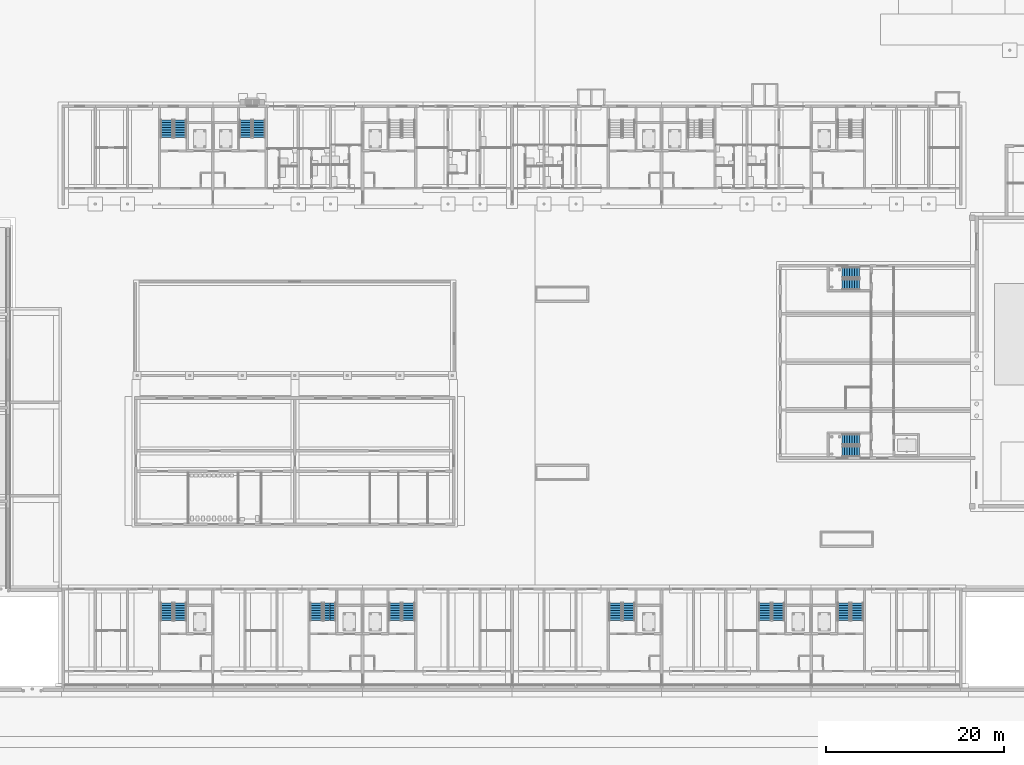
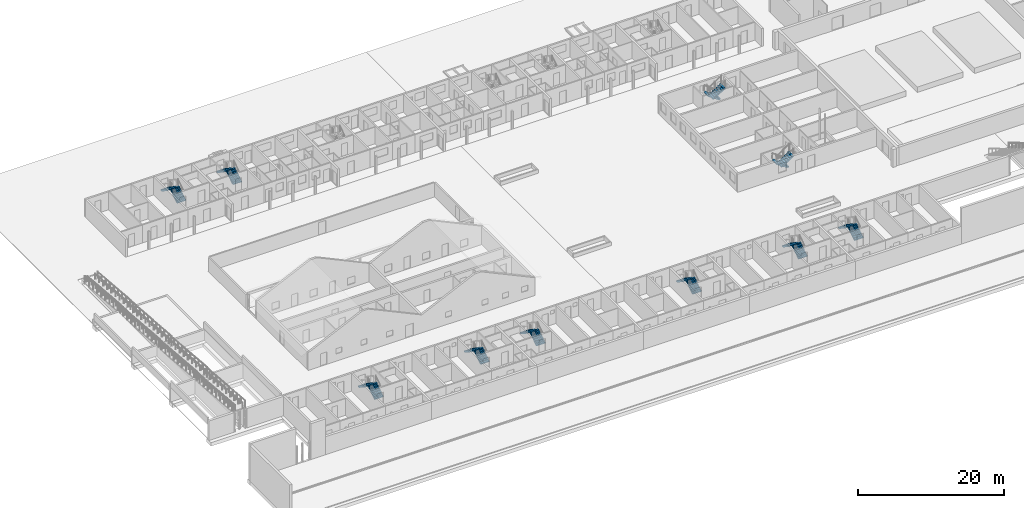
# One storey, part 71 of 112: 20 stair flights, 10 elements without a shape of their own.
"""IFC4 building model written with IfcOpenShell, lengths in metres."""

from ifc_helpers import new_model, si_unit, direction, frame, origin, place, context, subcontext, project, spatial, polyline, outline, extrude, material, type_object, element, aggregate, save


model = new_model("IFC4")

# Units and contexts
model_context = context("Model", 3, precision=1e-05, world=origin(), true_north=direction((0.0, 1.0)))
body_context = subcontext(model_context, "Body", "Model", "MODEL_VIEW")
ifc_project = project(units=[si_unit("LENGTHUNIT", "METRE"), si_unit("AREAUNIT", "SQUARE_METRE"), si_unit("VOLUMEUNIT", "CUBIC_METRE"), si_unit("PLANEANGLEUNIT", "RADIAN"), si_unit("MASSUNIT", "GRAM", prefix="KILO")], contexts=[model_context])

# Site, building, storey
site_placement = place(None, origin())
site = spatial("IfcSite", under=ifc_project, at=site_placement, CompositionType="ELEMENT")
building_placement = place(site_placement, origin())
building = spatial("IfcBuilding", under=site, at=building_placement, Name="Ridgestep Commons", CompositionType="ELEMENT")
storey_placement = place(building_placement, origin())
storey = spatial("IfcBuildingStorey", under=building, at=storey_placement, Name="L00", CompositionType="ELEMENT", Elevation=0.0)

# Stair, stair flights
ifc_material_1 = material(Name="Concrete C30/37", Category="concrete")
stair_type_1 = type_object("IfcStairType", Name="Community stair", PredefinedType="HALF_TURN_STAIR", material=ifc_material_1)
stair_1_placement = place(storey_placement, origin())
stair_1 = element("IfcStair", 1, at=stair_1_placement, inside=storey, type_object=stair_type_1, Name="L00 AW-ST0", PredefinedType="HALF_TURN_STAIR")
ifc_material_2 = material(Name="Concrete C30/37", Category="concrete")
stair_flight_type_1 = type_object("IfcStairFlightType", Name="Community stair flight", PredefinedType="STRAIGHT", material=ifc_material_2)
stair_flight_1_placement = place(storey_placement, frame((101.449951171875, 39.699951171875, 0.0), z_axis=(0.0, 0.0, 1.0), x_axis=(-1.0, 0.0, 0.0)))
stair_flight_1 = element("IfcStairFlight", 2, at=stair_flight_1_placement, type_object=stair_flight_type_1, Name="AW-ST0 flight 1", NumberOfRisers=8, NumberOfTreads=7, PredefinedType="STRAIGHT", RiserHeight=0.1875, TreadLength=0.28, context=body_context, shape_type="SweptSolid", body=[
    extrude(outline(polyline([(0.0, 0.0), (0.0, 0.1875), (0.280029296875, 0.1875), (0.280029296875, 0.375), (0.56005859375, 0.375), (0.56005859375, 0.5625), (0.840087890625, 0.5625), (0.840087890625, 0.75), (1.1201171875, 0.75), (1.1201171875, 0.9375), (1.39990234375, 0.9375), (1.39990234375, 1.125), (1.679931640625, 1.125), (1.679931640625, 1.3125), (1.9599609375, 1.3125), (1.9599609375, 1.5), (1.9599609375, 1.132080078125), (0.26953125, 0.0), (0.0, 0.0)])), frame((0.0, 0.60009765625, 0.0), z_axis=(0.0, -1.0, 0.0), x_axis=(1.0, 0.0, 0.0)), (0.0, 0.0, 1.0), 0.594970703125),
    extrude(outline(polyline([(0.0, 0.0), (0.0, 0.1875), (0.280029296875, 0.1875), (0.280029296875, 0.375), (0.56005859375, 0.375), (0.56005859375, 0.5625), (0.840087890625, 0.5625), (0.840087890625, 0.75), (1.1201171875, 0.75), (1.1201171875, 0.9375), (1.39990234375, 0.9375), (1.39990234375, 1.125), (1.679931640625, 1.125), (1.679931640625, 1.3125), (1.9599609375, 1.3125), (1.9599609375, 1.5), (1.9599609375, 1.132080078125), (0.26953125, 0.0), (0.0, 0.0)])), frame((0.0, -0.0048828125, 0.0), z_axis=(0.0, -1.0, 0.0), x_axis=(1.0, 0.0, 0.0)), (0.0, 0.0, 1.0), 0.594970703125),
])
stair_flight_2_placement = place(storey_placement, frame((99.489990234375, 38.35009765625, 1.5), z_axis=(0.0, 0.0, 1.0), x_axis=(1.0, 0.0, 0.0)))
stair_flight_2 = element("IfcStairFlight", 3, at=stair_flight_2_placement, type_object=stair_flight_type_1, Name="AW-ST0 flight 2", NumberOfRisers=8, NumberOfTreads=7, PredefinedType="STRAIGHT", RiserHeight=0.1875, TreadLength=0.28, context=body_context, shape_type="SweptSolid", body=[
    extrude(outline(polyline([(0.0, 0.0), (0.0, 0.1875), (0.280029296875, 0.1875), (0.280029296875, 0.375), (0.56005859375, 0.375), (0.56005859375, 0.5625), (0.840087890625, 0.5625), (0.840087890625, 0.75), (1.1201171875, 0.75), (1.1201171875, 0.9375), (1.39990234375, 0.9375), (1.39990234375, 1.125), (1.679931640625, 1.125), (1.679931640625, 1.3125), (1.9599609375, 1.3125), (1.9599609375, 1.5), (1.9599609375, 1.132080078125), (0.26953125, 0.0), (0.0, 0.0)])), frame((0.0, 0.60009765625, 0.0), z_axis=(0.0, -1.0, 0.0), x_axis=(1.0, 0.0, 0.0)), (0.0, 0.0, 1.0), 0.594970703125),
    extrude(outline(polyline([(0.0, 0.0), (0.0, 0.1875), (0.280029296875, 0.1875), (0.280029296875, 0.375), (0.56005859375, 0.375), (0.56005859375, 0.5625), (0.840087890625, 0.5625), (0.840087890625, 0.75), (1.1201171875, 0.75), (1.1201171875, 0.9375), (1.39990234375, 0.9375), (1.39990234375, 1.125), (1.679931640625, 1.125), (1.679931640625, 1.3125), (1.9599609375, 1.3125), (1.9599609375, 1.5), (1.9599609375, 1.132080078125), (0.26953125, 0.0), (0.0, 0.0)])), frame((0.0, -0.0048828125, 0.0), z_axis=(0.0, -1.0, 0.0), x_axis=(1.0, 0.0, 0.0)), (0.0, 0.0, 1.0), 0.594970703125),
])
aggregate(stair_1, [stair_flight_1, stair_flight_2])

stair_2_placement = place(storey_placement, origin())
stair_2 = element("IfcStair", 4, at=stair_2_placement, inside=storey, type_object=stair_type_1, Name="L00 AW-ST3", PredefinedType="HALF_TURN_STAIR")
stair_flight_3_placement = place(storey_placement, frame((101.449951171875, 58.449951171875, 0.0), z_axis=(0.0, 0.0, 1.0), x_axis=(-1.0, 0.0, 0.0)))
stair_flight_3 = element("IfcStairFlight", 5, at=stair_flight_3_placement, type_object=stair_flight_type_1, Name="AW-ST3 flight 1", NumberOfRisers=8, NumberOfTreads=7, PredefinedType="STRAIGHT", RiserHeight=0.1875, TreadLength=0.28, context=body_context, shape_type="SweptSolid", body=[
    extrude(outline(polyline([(0.0, 0.0), (0.0, 0.1875), (0.280029296875, 0.1875), (0.280029296875, 0.375), (0.56005859375, 0.375), (0.56005859375, 0.5625), (0.840087890625, 0.5625), (0.840087890625, 0.75), (1.1201171875, 0.75), (1.1201171875, 0.9375), (1.39990234375, 0.9375), (1.39990234375, 1.125), (1.679931640625, 1.125), (1.679931640625, 1.3125), (1.9599609375, 1.3125), (1.9599609375, 1.5), (1.9599609375, 1.132080078125), (0.26953125, 0.0), (0.0, 0.0)])), frame((0.0, 0.60009765625, 0.0), z_axis=(0.0, -1.0, 0.0), x_axis=(1.0, 0.0, 0.0)), (0.0, 0.0, 1.0), 0.594970703125),
    extrude(outline(polyline([(0.0, 0.0), (0.0, 0.1875), (0.280029296875, 0.1875), (0.280029296875, 0.375), (0.56005859375, 0.375), (0.56005859375, 0.5625), (0.840087890625, 0.5625), (0.840087890625, 0.75), (1.1201171875, 0.75), (1.1201171875, 0.9375), (1.39990234375, 0.9375), (1.39990234375, 1.125), (1.679931640625, 1.125), (1.679931640625, 1.3125), (1.9599609375, 1.3125), (1.9599609375, 1.5), (1.9599609375, 1.132080078125), (0.26953125, 0.0), (0.0, 0.0)])), frame((0.0, -0.0048828125, 0.0), z_axis=(0.0, -1.0, 0.0), x_axis=(1.0, 0.0, 0.0)), (0.0, 0.0, 1.0), 0.594970703125),
])
stair_flight_4_placement = place(storey_placement, frame((99.489990234375, 57.10009765625, 1.5), z_axis=(0.0, 0.0, 1.0), x_axis=(1.0, 0.0, 0.0)))
stair_flight_4 = element("IfcStairFlight", 6, at=stair_flight_4_placement, type_object=stair_flight_type_1, Name="AW-ST3 flight 2", NumberOfRisers=8, NumberOfTreads=7, PredefinedType="STRAIGHT", RiserHeight=0.1875, TreadLength=0.28, context=body_context, shape_type="SweptSolid", body=[
    extrude(outline(polyline([(0.0, 0.0), (0.0, 0.1875), (0.280029296875, 0.1875), (0.280029296875, 0.375), (0.56005859375, 0.375), (0.56005859375, 0.5625), (0.840087890625, 0.5625), (0.840087890625, 0.75), (1.1201171875, 0.75), (1.1201171875, 0.9375), (1.39990234375, 0.9375), (1.39990234375, 1.125), (1.679931640625, 1.125), (1.679931640625, 1.3125), (1.9599609375, 1.3125), (1.9599609375, 1.5), (1.9599609375, 1.132080078125), (0.26953125, 0.0), (0.0, 0.0)])), frame((0.0, 0.60009765625, 0.0), z_axis=(0.0, -1.0, 0.0), x_axis=(1.0, 0.0, 0.0)), (0.0, 0.0, 1.0), 0.594970703125),
    extrude(outline(polyline([(0.0, 0.0), (0.0, 0.1875), (0.280029296875, 0.1875), (0.280029296875, 0.375), (0.56005859375, 0.375), (0.56005859375, 0.5625), (0.840087890625, 0.5625), (0.840087890625, 0.75), (1.1201171875, 0.75), (1.1201171875, 0.9375), (1.39990234375, 0.9375), (1.39990234375, 1.125), (1.679931640625, 1.125), (1.679931640625, 1.3125), (1.9599609375, 1.3125), (1.9599609375, 1.5), (1.9599609375, 1.132080078125), (0.26953125, 0.0), (0.0, 0.0)])), frame((0.0, -0.0048828125, 0.0), z_axis=(0.0, -1.0, 0.0), x_axis=(1.0, 0.0, 0.0)), (0.0, 0.0, 1.0), 0.594970703125),
])
aggregate(stair_2, [stair_flight_3, stair_flight_4])

ifc_material_3 = material(Name="Precast concrete C40/50", Category="concrete")
stair_type_2 = type_object("IfcStairType", Name="Escape stair 1400", PredefinedType="HALF_TURN_STAIR", material=ifc_material_3)
stair_3_placement = place(storey_placement, origin())
stair_3 = element("IfcStair", 7, at=stair_3_placement, inside=storey, type_object=stair_type_2, Name="L00 Escape stair A1C", PredefinedType="HALF_TURN_STAIR")
ifc_material_4 = material(Name="Precast concrete C40/50", Category="concrete")
stair_flight_type_2 = type_object("IfcStairFlightType", Name="Stair flight 1400", PredefinedType="STRAIGHT", material=ifc_material_4)
stair_flight_5_placement = place(storey_placement, frame((25.125, 19.35009765625, 0.0), z_axis=(0.0, 0.0, 1.0), x_axis=(0.0, 1.0, 0.0)))
stair_flight_5 = element("IfcStairFlight", 8, at=stair_flight_5_placement, type_object=stair_flight_type_2, Name="A1C flight 1", NumberOfRisers=8, NumberOfTreads=7, PredefinedType="STRAIGHT", RiserHeight=0.1875, TreadLength=0.28, context=body_context, shape_type="SweptSolid", body=[
    extrude(outline(polyline([(0.0, 0.0), (0.0, 0.1875), (0.280029296875, 0.1875), (0.280029296875, 0.375), (0.56005859375, 0.375), (0.56005859375, 0.5625), (0.840087890625, 0.5625), (0.840087890625, 0.75), (1.1201171875, 0.75), (1.1201171875, 0.9375), (1.39990234375, 0.9375), (1.39990234375, 1.125), (1.679931640625, 1.125), (1.679931640625, 1.3125), (1.9599609375, 1.3125), (1.9599609375, 1.5), (1.9599609375, 1.132080078125), (0.26953125, 0.0), (0.0, 0.0)])), frame((0.0, 0.699951171875, 0.0), z_axis=(0.0, -1.0, 0.0), x_axis=(1.0, 0.0, 0.0)), (0.0, 0.0, 1.0), 0.695068359375),
    extrude(outline(polyline([(0.0, 0.0), (0.0, 0.1875), (0.280029296875, 0.1875), (0.280029296875, 0.375), (0.56005859375, 0.375), (0.56005859375, 0.5625), (0.840087890625, 0.5625), (0.840087890625, 0.75), (1.1201171875, 0.75), (1.1201171875, 0.9375), (1.39990234375, 0.9375), (1.39990234375, 1.125), (1.679931640625, 1.125), (1.679931640625, 1.3125), (1.9599609375, 1.3125), (1.9599609375, 1.5), (1.9599609375, 1.132080078125), (0.26953125, 0.0), (0.0, 0.0)])), frame((0.0, -0.0048828125, 0.0), z_axis=(0.0, -1.0, 0.0), x_axis=(1.0, 0.0, 0.0)), (0.0, 0.0, 1.0), 0.695068359375),
])
stair_flight_6_placement = place(storey_placement, frame((23.625, 21.31005859375, 1.5), z_axis=(0.0, 0.0, 1.0), x_axis=(0.0, -1.0, 0.0)))
stair_flight_6 = element("IfcStairFlight", 9, at=stair_flight_6_placement, type_object=stair_flight_type_2, Name="A1C flight 2", NumberOfRisers=8, NumberOfTreads=7, PredefinedType="STRAIGHT", RiserHeight=0.1875, TreadLength=0.28, context=body_context, shape_type="SweptSolid", body=[
    extrude(outline(polyline([(0.0, 0.0), (0.0, 0.1875), (0.280029296875, 0.1875), (0.280029296875, 0.375), (0.56005859375, 0.375), (0.56005859375, 0.5625), (0.840087890625, 0.5625), (0.840087890625, 0.75), (1.1201171875, 0.75), (1.1201171875, 0.9375), (1.39990234375, 0.9375), (1.39990234375, 1.125), (1.679931640625, 1.125), (1.679931640625, 1.3125), (1.9599609375, 1.3125), (1.9599609375, 1.5), (1.9599609375, 1.132080078125), (0.26953125, 0.0), (0.0, 0.0)])), frame((0.0, 0.699951171875, 0.0), z_axis=(0.0, -1.0, 0.0), x_axis=(1.0, 0.0, 0.0)), (0.0, 0.0, 1.0), 0.695068359375),
    extrude(outline(polyline([(0.0, 0.0), (0.0, 0.1875), (0.280029296875, 0.1875), (0.280029296875, 0.375), (0.56005859375, 0.375), (0.56005859375, 0.5625), (0.840087890625, 0.5625), (0.840087890625, 0.75), (1.1201171875, 0.75), (1.1201171875, 0.9375), (1.39990234375, 0.9375), (1.39990234375, 1.125), (1.679931640625, 1.125), (1.679931640625, 1.3125), (1.9599609375, 1.3125), (1.9599609375, 1.5), (1.9599609375, 1.132080078125), (0.26953125, 0.0), (0.0, 0.0)])), frame((0.0, -0.0048828125, 0.0), z_axis=(0.0, -1.0, 0.0), x_axis=(1.0, 0.0, 0.0)), (0.0, 0.0, 1.0), 0.695068359375),
])
aggregate(stair_3, [stair_flight_5, stair_flight_6])

stair_4_placement = place(storey_placement, origin())
stair_4 = element("IfcStair", 10, at=stair_4_placement, inside=storey, type_object=stair_type_2, Name="L00 Escape stair A2C", PredefinedType="HALF_TURN_STAIR")
stair_flight_7_placement = place(storey_placement, frame((41.925048828125, 19.35009765625, 0.0), z_axis=(0.0, 0.0, 1.0), x_axis=(0.0, 1.0, 0.0)))
stair_flight_7 = element("IfcStairFlight", 11, at=stair_flight_7_placement, type_object=stair_flight_type_2, Name="A2C flight 1", NumberOfRisers=8, NumberOfTreads=7, PredefinedType="STRAIGHT", RiserHeight=0.1875, TreadLength=0.28, context=body_context, shape_type="SweptSolid", body=[
    extrude(outline(polyline([(0.0, 0.0), (0.0, 0.1875), (0.280029296875, 0.1875), (0.280029296875, 0.375), (0.56005859375, 0.375), (0.56005859375, 0.5625), (0.840087890625, 0.5625), (0.840087890625, 0.75), (1.1201171875, 0.75), (1.1201171875, 0.9375), (1.39990234375, 0.9375), (1.39990234375, 1.125), (1.679931640625, 1.125), (1.679931640625, 1.3125), (1.9599609375, 1.3125), (1.9599609375, 1.5), (1.9599609375, 1.132080078125), (0.26953125, 0.0), (0.0, 0.0)])), frame((0.0, 0.699951171875, 0.0), z_axis=(0.0, -1.0, 0.0), x_axis=(1.0, 0.0, 0.0)), (0.0, 0.0, 1.0), 0.695068359375),
    extrude(outline(polyline([(0.0, 0.0), (0.0, 0.1875), (0.280029296875, 0.1875), (0.280029296875, 0.375), (0.56005859375, 0.375), (0.56005859375, 0.5625), (0.840087890625, 0.5625), (0.840087890625, 0.75), (1.1201171875, 0.75), (1.1201171875, 0.9375), (1.39990234375, 0.9375), (1.39990234375, 1.125), (1.679931640625, 1.125), (1.679931640625, 1.3125), (1.9599609375, 1.3125), (1.9599609375, 1.5), (1.9599609375, 1.132080078125), (0.26953125, 0.0), (0.0, 0.0)])), frame((0.0, -0.0048828125, 0.0), z_axis=(0.0, -1.0, 0.0), x_axis=(1.0, 0.0, 0.0)), (0.0, 0.0, 1.0), 0.695068359375),
])
stair_flight_8_placement = place(storey_placement, frame((40.425048828125, 21.31005859375, 1.5), z_axis=(0.0, 0.0, 1.0), x_axis=(0.0, -1.0, 0.0)))
stair_flight_8 = element("IfcStairFlight", 12, at=stair_flight_8_placement, type_object=stair_flight_type_2, Name="A2C flight 2", NumberOfRisers=8, NumberOfTreads=7, PredefinedType="STRAIGHT", RiserHeight=0.1875, TreadLength=0.28, context=body_context, shape_type="SweptSolid", body=[
    extrude(outline(polyline([(0.0, 0.0), (0.0, 0.1875), (0.280029296875, 0.1875), (0.280029296875, 0.375), (0.56005859375, 0.375), (0.56005859375, 0.5625), (0.840087890625, 0.5625), (0.840087890625, 0.75), (1.1201171875, 0.75), (1.1201171875, 0.9375), (1.39990234375, 0.9375), (1.39990234375, 1.125), (1.679931640625, 1.125), (1.679931640625, 1.3125), (1.9599609375, 1.3125), (1.9599609375, 1.5), (1.9599609375, 1.132080078125), (0.26953125, 0.0), (0.0, 0.0)])), frame((0.0, 0.699951171875, 0.0), z_axis=(0.0, -1.0, 0.0), x_axis=(1.0, 0.0, 0.0)), (0.0, 0.0, 1.0), 0.695068359375),
    extrude(outline(polyline([(0.0, 0.0), (0.0, 0.1875), (0.280029296875, 0.1875), (0.280029296875, 0.375), (0.56005859375, 0.375), (0.56005859375, 0.5625), (0.840087890625, 0.5625), (0.840087890625, 0.75), (1.1201171875, 0.75), (1.1201171875, 0.9375), (1.39990234375, 0.9375), (1.39990234375, 1.125), (1.679931640625, 1.125), (1.679931640625, 1.3125), (1.9599609375, 1.3125), (1.9599609375, 1.5), (1.9599609375, 1.132080078125), (0.26953125, 0.0), (0.0, 0.0)])), frame((0.0, -0.0048828125, 0.0), z_axis=(0.0, -1.0, 0.0), x_axis=(1.0, 0.0, 0.0)), (0.0, 0.0, 1.0), 0.695068359375),
])
aggregate(stair_4, [stair_flight_7, stair_flight_8])

stair_5_placement = place(storey_placement, origin())
stair_5 = element("IfcStair", 13, at=stair_5_placement, inside=storey, type_object=stair_type_2, Name="L00 Escape stair A3C", PredefinedType="HALF_TURN_STAIR")
stair_flight_9_placement = place(storey_placement, frame((50.77490234375, 19.35009765625, 0.0), z_axis=(0.0, 0.0, 1.0), x_axis=(0.0, 1.0, 0.0)))
stair_flight_9 = element("IfcStairFlight", 14, at=stair_flight_9_placement, type_object=stair_flight_type_2, Name="A3C flight 1", NumberOfRisers=8, NumberOfTreads=7, PredefinedType="STRAIGHT", RiserHeight=0.1875, TreadLength=0.28, context=body_context, shape_type="SweptSolid", body=[
    extrude(outline(polyline([(0.0, 0.0), (0.0, 0.1875), (0.280029296875, 0.1875), (0.280029296875, 0.375), (0.56005859375, 0.375), (0.56005859375, 0.5625), (0.840087890625, 0.5625), (0.840087890625, 0.75), (1.1201171875, 0.75), (1.1201171875, 0.9375), (1.39990234375, 0.9375), (1.39990234375, 1.125), (1.679931640625, 1.125), (1.679931640625, 1.3125), (1.9599609375, 1.3125), (1.9599609375, 1.5), (1.9599609375, 1.132080078125), (0.26953125, 0.0), (0.0, 0.0)])), frame((0.0, 0.699951171875, 0.0), z_axis=(0.0, -1.0, 0.0), x_axis=(1.0, 0.0, 0.0)), (0.0, 0.0, 1.0), 0.695068359375),
    extrude(outline(polyline([(0.0, 0.0), (0.0, 0.1875), (0.280029296875, 0.1875), (0.280029296875, 0.375), (0.56005859375, 0.375), (0.56005859375, 0.5625), (0.840087890625, 0.5625), (0.840087890625, 0.75), (1.1201171875, 0.75), (1.1201171875, 0.9375), (1.39990234375, 0.9375), (1.39990234375, 1.125), (1.679931640625, 1.125), (1.679931640625, 1.3125), (1.9599609375, 1.3125), (1.9599609375, 1.5), (1.9599609375, 1.132080078125), (0.26953125, 0.0), (0.0, 0.0)])), frame((0.0, -0.0048828125, 0.0), z_axis=(0.0, -1.0, 0.0), x_axis=(1.0, 0.0, 0.0)), (0.0, 0.0, 1.0), 0.695068359375),
])
stair_flight_10_placement = place(storey_placement, frame((49.27490234375, 21.31005859375, 1.5), z_axis=(0.0, 0.0, 1.0), x_axis=(0.0, -1.0, 0.0)))
stair_flight_10 = element("IfcStairFlight", 15, at=stair_flight_10_placement, type_object=stair_flight_type_2, Name="A3C flight 2", NumberOfRisers=8, NumberOfTreads=7, PredefinedType="STRAIGHT", RiserHeight=0.1875, TreadLength=0.28, context=body_context, shape_type="SweptSolid", body=[
    extrude(outline(polyline([(0.0, 0.0), (0.0, 0.1875), (0.280029296875, 0.1875), (0.280029296875, 0.375), (0.56005859375, 0.375), (0.56005859375, 0.5625), (0.840087890625, 0.5625), (0.840087890625, 0.75), (1.1201171875, 0.75), (1.1201171875, 0.9375), (1.39990234375, 0.9375), (1.39990234375, 1.125), (1.679931640625, 1.125), (1.679931640625, 1.3125), (1.9599609375, 1.3125), (1.9599609375, 1.5), (1.9599609375, 1.132080078125), (0.26953125, 0.0), (0.0, 0.0)])), frame((0.0, 0.699951171875, 0.0), z_axis=(0.0, -1.0, 0.0), x_axis=(1.0, 0.0, 0.0)), (0.0, 0.0, 1.0), 0.695068359375),
    extrude(outline(polyline([(0.0, 0.0), (0.0, 0.1875), (0.280029296875, 0.1875), (0.280029296875, 0.375), (0.56005859375, 0.375), (0.56005859375, 0.5625), (0.840087890625, 0.5625), (0.840087890625, 0.75), (1.1201171875, 0.75), (1.1201171875, 0.9375), (1.39990234375, 0.9375), (1.39990234375, 1.125), (1.679931640625, 1.125), (1.679931640625, 1.3125), (1.9599609375, 1.3125), (1.9599609375, 1.5), (1.9599609375, 1.132080078125), (0.26953125, 0.0), (0.0, 0.0)])), frame((0.0, -0.0048828125, 0.0), z_axis=(0.0, -1.0, 0.0), x_axis=(1.0, 0.0, 0.0)), (0.0, 0.0, 1.0), 0.695068359375),
])
aggregate(stair_5, [stair_flight_9, stair_flight_10])

stair_6_placement = place(storey_placement, origin())
stair_6 = element("IfcStair", 16, at=stair_6_placement, inside=storey, type_object=stair_type_2, Name="L00 Escape stair A4C", PredefinedType="HALF_TURN_STAIR")
stair_flight_11_placement = place(storey_placement, frame((75.52490234375, 19.35009765625, 0.0), z_axis=(0.0, 0.0, 1.0), x_axis=(0.0, 1.0, 0.0)))
stair_flight_11 = element("IfcStairFlight", 17, at=stair_flight_11_placement, type_object=stair_flight_type_2, Name="A4C flight 1", NumberOfRisers=8, NumberOfTreads=7, PredefinedType="STRAIGHT", RiserHeight=0.1875, TreadLength=0.28, context=body_context, shape_type="SweptSolid", body=[
    extrude(outline(polyline([(0.0, 0.0), (0.0, 0.1875), (0.280029296875, 0.1875), (0.280029296875, 0.375), (0.56005859375, 0.375), (0.56005859375, 0.5625), (0.840087890625, 0.5625), (0.840087890625, 0.75), (1.1201171875, 0.75), (1.1201171875, 0.9375), (1.39990234375, 0.9375), (1.39990234375, 1.125), (1.679931640625, 1.125), (1.679931640625, 1.3125), (1.9599609375, 1.3125), (1.9599609375, 1.5), (1.9599609375, 1.132080078125), (0.26953125, 0.0), (0.0, 0.0)])), frame((0.0, 0.699951171875, 0.0), z_axis=(0.0, -1.0, 0.0), x_axis=(1.0, 0.0, 0.0)), (0.0, 0.0, 1.0), 0.695068359375),
    extrude(outline(polyline([(0.0, 0.0), (0.0, 0.1875), (0.280029296875, 0.1875), (0.280029296875, 0.375), (0.56005859375, 0.375), (0.56005859375, 0.5625), (0.840087890625, 0.5625), (0.840087890625, 0.75), (1.1201171875, 0.75), (1.1201171875, 0.9375), (1.39990234375, 0.9375), (1.39990234375, 1.125), (1.679931640625, 1.125), (1.679931640625, 1.3125), (1.9599609375, 1.3125), (1.9599609375, 1.5), (1.9599609375, 1.132080078125), (0.26953125, 0.0), (0.0, 0.0)])), frame((0.0, -0.0048828125, 0.0), z_axis=(0.0, -1.0, 0.0), x_axis=(1.0, 0.0, 0.0)), (0.0, 0.0, 1.0), 0.695068359375),
])
stair_flight_12_placement = place(storey_placement, frame((74.02490234375, 21.31005859375, 1.5), z_axis=(0.0, 0.0, 1.0), x_axis=(0.0, -1.0, 0.0)))
stair_flight_12 = element("IfcStairFlight", 18, at=stair_flight_12_placement, type_object=stair_flight_type_2, Name="A4C flight 2", NumberOfRisers=8, NumberOfTreads=7, PredefinedType="STRAIGHT", RiserHeight=0.1875, TreadLength=0.28, context=body_context, shape_type="SweptSolid", body=[
    extrude(outline(polyline([(0.0, 0.0), (0.0, 0.1875), (0.280029296875, 0.1875), (0.280029296875, 0.375), (0.56005859375, 0.375), (0.56005859375, 0.5625), (0.840087890625, 0.5625), (0.840087890625, 0.75), (1.1201171875, 0.75), (1.1201171875, 0.9375), (1.39990234375, 0.9375), (1.39990234375, 1.125), (1.679931640625, 1.125), (1.679931640625, 1.3125), (1.9599609375, 1.3125), (1.9599609375, 1.5), (1.9599609375, 1.132080078125), (0.26953125, 0.0), (0.0, 0.0)])), frame((0.0, 0.699951171875, 0.0), z_axis=(0.0, -1.0, 0.0), x_axis=(1.0, 0.0, 0.0)), (0.0, 0.0, 1.0), 0.695068359375),
    extrude(outline(polyline([(0.0, 0.0), (0.0, 0.1875), (0.280029296875, 0.1875), (0.280029296875, 0.375), (0.56005859375, 0.375), (0.56005859375, 0.5625), (0.840087890625, 0.5625), (0.840087890625, 0.75), (1.1201171875, 0.75), (1.1201171875, 0.9375), (1.39990234375, 0.9375), (1.39990234375, 1.125), (1.679931640625, 1.125), (1.679931640625, 1.3125), (1.9599609375, 1.3125), (1.9599609375, 1.5), (1.9599609375, 1.132080078125), (0.26953125, 0.0), (0.0, 0.0)])), frame((0.0, -0.0048828125, 0.0), z_axis=(0.0, -1.0, 0.0), x_axis=(1.0, 0.0, 0.0)), (0.0, 0.0, 1.0), 0.695068359375),
])
aggregate(stair_6, [stair_flight_11, stair_flight_12])

stair_7_placement = place(storey_placement, origin())
stair_7 = element("IfcStair", 19, at=stair_7_placement, inside=storey, type_object=stair_type_2, Name="L00 Escape stair A5C", PredefinedType="HALF_TURN_STAIR")
stair_flight_13_placement = place(storey_placement, frame((92.324951171875, 19.35009765625, 0.0), z_axis=(0.0, 0.0, 1.0), x_axis=(0.0, 1.0, 0.0)))
stair_flight_13 = element("IfcStairFlight", 20, at=stair_flight_13_placement, type_object=stair_flight_type_2, Name="A5C flight 1", NumberOfRisers=8, NumberOfTreads=7, PredefinedType="STRAIGHT", RiserHeight=0.1875, TreadLength=0.28, context=body_context, shape_type="SweptSolid", body=[
    extrude(outline(polyline([(0.0, 0.0), (0.0, 0.1875), (0.280029296875, 0.1875), (0.280029296875, 0.375), (0.56005859375, 0.375), (0.56005859375, 0.5625), (0.840087890625, 0.5625), (0.840087890625, 0.75), (1.1201171875, 0.75), (1.1201171875, 0.9375), (1.39990234375, 0.9375), (1.39990234375, 1.125), (1.679931640625, 1.125), (1.679931640625, 1.3125), (1.9599609375, 1.3125), (1.9599609375, 1.5), (1.9599609375, 1.132080078125), (0.26953125, 0.0), (0.0, 0.0)])), frame((0.0, 0.699951171875, 0.0), z_axis=(0.0, -1.0, 0.0), x_axis=(1.0, 0.0, 0.0)), (0.0, 0.0, 1.0), 0.695068359375),
    extrude(outline(polyline([(0.0, 0.0), (0.0, 0.1875), (0.280029296875, 0.1875), (0.280029296875, 0.375), (0.56005859375, 0.375), (0.56005859375, 0.5625), (0.840087890625, 0.5625), (0.840087890625, 0.75), (1.1201171875, 0.75), (1.1201171875, 0.9375), (1.39990234375, 0.9375), (1.39990234375, 1.125), (1.679931640625, 1.125), (1.679931640625, 1.3125), (1.9599609375, 1.3125), (1.9599609375, 1.5), (1.9599609375, 1.132080078125), (0.26953125, 0.0), (0.0, 0.0)])), frame((0.0, -0.0048828125, 0.0), z_axis=(0.0, -1.0, 0.0), x_axis=(1.0, 0.0, 0.0)), (0.0, 0.0, 1.0), 0.695068359375),
])
stair_flight_14_placement = place(storey_placement, frame((90.824951171875, 21.31005859375, 1.5), z_axis=(0.0, 0.0, 1.0), x_axis=(0.0, -1.0, 0.0)))
stair_flight_14 = element("IfcStairFlight", 21, at=stair_flight_14_placement, type_object=stair_flight_type_2, Name="A5C flight 2", NumberOfRisers=8, NumberOfTreads=7, PredefinedType="STRAIGHT", RiserHeight=0.1875, TreadLength=0.28, context=body_context, shape_type="SweptSolid", body=[
    extrude(outline(polyline([(0.0, 0.0), (0.0, 0.1875), (0.280029296875, 0.1875), (0.280029296875, 0.375), (0.56005859375, 0.375), (0.56005859375, 0.5625), (0.840087890625, 0.5625), (0.840087890625, 0.75), (1.1201171875, 0.75), (1.1201171875, 0.9375), (1.39990234375, 0.9375), (1.39990234375, 1.125), (1.679931640625, 1.125), (1.679931640625, 1.3125), (1.9599609375, 1.3125), (1.9599609375, 1.5), (1.9599609375, 1.132080078125), (0.26953125, 0.0), (0.0, 0.0)])), frame((0.0, 0.699951171875, 0.0), z_axis=(0.0, -1.0, 0.0), x_axis=(1.0, 0.0, 0.0)), (0.0, 0.0, 1.0), 0.695068359375),
    extrude(outline(polyline([(0.0, 0.0), (0.0, 0.1875), (0.280029296875, 0.1875), (0.280029296875, 0.375), (0.56005859375, 0.375), (0.56005859375, 0.5625), (0.840087890625, 0.5625), (0.840087890625, 0.75), (1.1201171875, 0.75), (1.1201171875, 0.9375), (1.39990234375, 0.9375), (1.39990234375, 1.125), (1.679931640625, 1.125), (1.679931640625, 1.3125), (1.9599609375, 1.3125), (1.9599609375, 1.5), (1.9599609375, 1.132080078125), (0.26953125, 0.0), (0.0, 0.0)])), frame((0.0, -0.0048828125, 0.0), z_axis=(0.0, -1.0, 0.0), x_axis=(1.0, 0.0, 0.0)), (0.0, 0.0, 1.0), 0.695068359375),
])
aggregate(stair_7, [stair_flight_13, stair_flight_14])

stair_8_placement = place(storey_placement, origin())
stair_8 = element("IfcStair", 22, at=stair_8_placement, inside=storey, type_object=stair_type_2, Name="L00 Escape stair A6C", PredefinedType="HALF_TURN_STAIR")
stair_flight_15_placement = place(storey_placement, frame((101.175048828125, 19.35009765625, 0.0), z_axis=(0.0, 0.0, 1.0), x_axis=(0.0, 1.0, 0.0)))
stair_flight_15 = element("IfcStairFlight", 23, at=stair_flight_15_placement, type_object=stair_flight_type_2, Name="A6C flight 1", NumberOfRisers=8, NumberOfTreads=7, PredefinedType="STRAIGHT", RiserHeight=0.1875, TreadLength=0.28, context=body_context, shape_type="SweptSolid", body=[
    extrude(outline(polyline([(0.0, 0.0), (0.0, 0.1875), (0.280029296875, 0.1875), (0.280029296875, 0.375), (0.56005859375, 0.375), (0.56005859375, 0.5625), (0.840087890625, 0.5625), (0.840087890625, 0.75), (1.1201171875, 0.75), (1.1201171875, 0.9375), (1.39990234375, 0.9375), (1.39990234375, 1.125), (1.679931640625, 1.125), (1.679931640625, 1.3125), (1.9599609375, 1.3125), (1.9599609375, 1.5), (1.9599609375, 1.132080078125), (0.26953125, 0.0), (0.0, 0.0)])), frame((0.0, 0.699951171875, 0.0), z_axis=(0.0, -1.0, 0.0), x_axis=(1.0, 0.0, 0.0)), (0.0, 0.0, 1.0), 0.695068359375),
    extrude(outline(polyline([(0.0, 0.0), (0.0, 0.1875), (0.280029296875, 0.1875), (0.280029296875, 0.375), (0.56005859375, 0.375), (0.56005859375, 0.5625), (0.840087890625, 0.5625), (0.840087890625, 0.75), (1.1201171875, 0.75), (1.1201171875, 0.9375), (1.39990234375, 0.9375), (1.39990234375, 1.125), (1.679931640625, 1.125), (1.679931640625, 1.3125), (1.9599609375, 1.3125), (1.9599609375, 1.5), (1.9599609375, 1.132080078125), (0.26953125, 0.0), (0.0, 0.0)])), frame((0.0, -0.0048828125, 0.0), z_axis=(0.0, -1.0, 0.0), x_axis=(1.0, 0.0, 0.0)), (0.0, 0.0, 1.0), 0.695068359375),
])
stair_flight_16_placement = place(storey_placement, frame((99.675048828125, 21.31005859375, 1.5), z_axis=(0.0, 0.0, 1.0), x_axis=(0.0, -1.0, 0.0)))
stair_flight_16 = element("IfcStairFlight", 24, at=stair_flight_16_placement, type_object=stair_flight_type_2, Name="A6C flight 2", NumberOfRisers=8, NumberOfTreads=7, PredefinedType="STRAIGHT", RiserHeight=0.1875, TreadLength=0.28, context=body_context, shape_type="SweptSolid", body=[
    extrude(outline(polyline([(0.0, 0.0), (0.0, 0.1875), (0.280029296875, 0.1875), (0.280029296875, 0.375), (0.56005859375, 0.375), (0.56005859375, 0.5625), (0.840087890625, 0.5625), (0.840087890625, 0.75), (1.1201171875, 0.75), (1.1201171875, 0.9375), (1.39990234375, 0.9375), (1.39990234375, 1.125), (1.679931640625, 1.125), (1.679931640625, 1.3125), (1.9599609375, 1.3125), (1.9599609375, 1.5), (1.9599609375, 1.132080078125), (0.26953125, 0.0), (0.0, 0.0)])), frame((0.0, 0.699951171875, 0.0), z_axis=(0.0, -1.0, 0.0), x_axis=(1.0, 0.0, 0.0)), (0.0, 0.0, 1.0), 0.695068359375),
    extrude(outline(polyline([(0.0, 0.0), (0.0, 0.1875), (0.280029296875, 0.1875), (0.280029296875, 0.375), (0.56005859375, 0.375), (0.56005859375, 0.5625), (0.840087890625, 0.5625), (0.840087890625, 0.75), (1.1201171875, 0.75), (1.1201171875, 0.9375), (1.39990234375, 0.9375), (1.39990234375, 1.125), (1.679931640625, 1.125), (1.679931640625, 1.3125), (1.9599609375, 1.3125), (1.9599609375, 1.5), (1.9599609375, 1.132080078125), (0.26953125, 0.0), (0.0, 0.0)])), frame((0.0, -0.0048828125, 0.0), z_axis=(0.0, -1.0, 0.0), x_axis=(1.0, 0.0, 0.0)), (0.0, 0.0, 1.0), 0.695068359375),
])
aggregate(stair_8, [stair_flight_15, stair_flight_16])

stair_9_placement = place(storey_placement, origin())
stair_9 = element("IfcStair", 25, at=stair_9_placement, inside=storey, type_object=stair_type_2, Name="L00 Escape stair B1C", PredefinedType="HALF_TURN_STAIR")
stair_flight_17_placement = place(storey_placement, frame((25.125, 73.60009765625, 0.0), z_axis=(0.0, 0.0, 1.0), x_axis=(0.0, 1.0, 0.0)))
stair_flight_17 = element("IfcStairFlight", 26, at=stair_flight_17_placement, type_object=stair_flight_type_2, Name="B1C flight 1", NumberOfRisers=8, NumberOfTreads=7, PredefinedType="STRAIGHT", RiserHeight=0.1875, TreadLength=0.28, context=body_context, shape_type="SweptSolid", body=[
    extrude(outline(polyline([(0.0, 0.0), (0.0, 0.1875), (0.280029296875, 0.1875), (0.280029296875, 0.375), (0.56005859375, 0.375), (0.56005859375, 0.5625), (0.840087890625, 0.5625), (0.840087890625, 0.75), (1.1201171875, 0.75), (1.1201171875, 0.9375), (1.39990234375, 0.9375), (1.39990234375, 1.125), (1.679931640625, 1.125), (1.679931640625, 1.3125), (1.9599609375, 1.3125), (1.9599609375, 1.5), (1.9599609375, 1.132080078125), (0.26953125, 0.0), (0.0, 0.0)])), frame((0.0, 0.699951171875, 0.0), z_axis=(0.0, -1.0, 0.0), x_axis=(1.0, 0.0, 0.0)), (0.0, 0.0, 1.0), 0.695068359375),
    extrude(outline(polyline([(0.0, 0.0), (0.0, 0.1875), (0.280029296875, 0.1875), (0.280029296875, 0.375), (0.56005859375, 0.375), (0.56005859375, 0.5625), (0.840087890625, 0.5625), (0.840087890625, 0.75), (1.1201171875, 0.75), (1.1201171875, 0.9375), (1.39990234375, 0.9375), (1.39990234375, 1.125), (1.679931640625, 1.125), (1.679931640625, 1.3125), (1.9599609375, 1.3125), (1.9599609375, 1.5), (1.9599609375, 1.132080078125), (0.26953125, 0.0), (0.0, 0.0)])), frame((0.0, -0.0048828125, 0.0), z_axis=(0.0, -1.0, 0.0), x_axis=(1.0, 0.0, 0.0)), (0.0, 0.0, 1.0), 0.695068359375),
])
stair_flight_18_placement = place(storey_placement, frame((23.625, 75.56005859375, 1.5), z_axis=(0.0, 0.0, 1.0), x_axis=(0.0, -1.0, 0.0)))
stair_flight_18 = element("IfcStairFlight", 27, at=stair_flight_18_placement, type_object=stair_flight_type_2, Name="B1C flight 2", NumberOfRisers=8, NumberOfTreads=7, PredefinedType="STRAIGHT", RiserHeight=0.1875, TreadLength=0.28, context=body_context, shape_type="SweptSolid", body=[
    extrude(outline(polyline([(0.0, 0.0), (0.0, 0.1875), (0.280029296875, 0.1875), (0.280029296875, 0.375), (0.56005859375, 0.375), (0.56005859375, 0.5625), (0.840087890625, 0.5625), (0.840087890625, 0.75), (1.1201171875, 0.75), (1.1201171875, 0.9375), (1.39990234375, 0.9375), (1.39990234375, 1.125), (1.679931640625, 1.125), (1.679931640625, 1.3125), (1.9599609375, 1.3125), (1.9599609375, 1.5), (1.9599609375, 1.132080078125), (0.26953125, 0.0), (0.0, 0.0)])), frame((0.0, 0.699951171875, 0.0), z_axis=(0.0, -1.0, 0.0), x_axis=(1.0, 0.0, 0.0)), (0.0, 0.0, 1.0), 0.695068359375),
    extrude(outline(polyline([(0.0, 0.0), (0.0, 0.1875), (0.280029296875, 0.1875), (0.280029296875, 0.375), (0.56005859375, 0.375), (0.56005859375, 0.5625), (0.840087890625, 0.5625), (0.840087890625, 0.75), (1.1201171875, 0.75), (1.1201171875, 0.9375), (1.39990234375, 0.9375), (1.39990234375, 1.125), (1.679931640625, 1.125), (1.679931640625, 1.3125), (1.9599609375, 1.3125), (1.9599609375, 1.5), (1.9599609375, 1.132080078125), (0.26953125, 0.0), (0.0, 0.0)])), frame((0.0, -0.0048828125, 0.0), z_axis=(0.0, -1.0, 0.0), x_axis=(1.0, 0.0, 0.0)), (0.0, 0.0, 1.0), 0.695068359375),
])
aggregate(stair_9, [stair_flight_17, stair_flight_18])

stair_10_placement = place(storey_placement, origin())
stair_10 = element("IfcStair", 28, at=stair_10_placement, inside=storey, type_object=stair_type_2, Name="L00 Escape stair B2C", PredefinedType="HALF_TURN_STAIR")
stair_flight_19_placement = place(storey_placement, frame((33.97509765625, 73.60009765625, 0.0), z_axis=(0.0, 0.0, 1.0), x_axis=(0.0, 1.0, 0.0)))
stair_flight_19 = element("IfcStairFlight", 29, at=stair_flight_19_placement, type_object=stair_flight_type_2, Name="B2C flight 1", NumberOfRisers=8, NumberOfTreads=7, PredefinedType="STRAIGHT", RiserHeight=0.1875, TreadLength=0.28, context=body_context, shape_type="SweptSolid", body=[
    extrude(outline(polyline([(0.0, 0.0), (0.0, 0.1875), (0.280029296875, 0.1875), (0.280029296875, 0.375), (0.56005859375, 0.375), (0.56005859375, 0.5625), (0.840087890625, 0.5625), (0.840087890625, 0.75), (1.1201171875, 0.75), (1.1201171875, 0.9375), (1.39990234375, 0.9375), (1.39990234375, 1.125), (1.679931640625, 1.125), (1.679931640625, 1.3125), (1.9599609375, 1.3125), (1.9599609375, 1.5), (1.9599609375, 1.132080078125), (0.26953125, 0.0), (0.0, 0.0)])), frame((0.0, 0.699951171875, 0.0), z_axis=(0.0, -1.0, 0.0), x_axis=(1.0, 0.0, 0.0)), (0.0, 0.0, 1.0), 0.695068359375),
    extrude(outline(polyline([(0.0, 0.0), (0.0, 0.1875), (0.280029296875, 0.1875), (0.280029296875, 0.375), (0.56005859375, 0.375), (0.56005859375, 0.5625), (0.840087890625, 0.5625), (0.840087890625, 0.75), (1.1201171875, 0.75), (1.1201171875, 0.9375), (1.39990234375, 0.9375), (1.39990234375, 1.125), (1.679931640625, 1.125), (1.679931640625, 1.3125), (1.9599609375, 1.3125), (1.9599609375, 1.5), (1.9599609375, 1.132080078125), (0.26953125, 0.0), (0.0, 0.0)])), frame((0.0, -0.0048828125, 0.0), z_axis=(0.0, -1.0, 0.0), x_axis=(1.0, 0.0, 0.0)), (0.0, 0.0, 1.0), 0.695068359375),
])
stair_flight_20_placement = place(storey_placement, frame((32.47509765625, 75.56005859375, 1.5), z_axis=(0.0, 0.0, 1.0), x_axis=(0.0, -1.0, 0.0)))
stair_flight_20 = element("IfcStairFlight", 30, at=stair_flight_20_placement, type_object=stair_flight_type_2, Name="B2C flight 2", NumberOfRisers=8, NumberOfTreads=7, PredefinedType="STRAIGHT", RiserHeight=0.1875, TreadLength=0.28, context=body_context, shape_type="SweptSolid", body=[
    extrude(outline(polyline([(0.0, 0.0), (0.0, 0.1875), (0.280029296875, 0.1875), (0.280029296875, 0.375), (0.56005859375, 0.375), (0.56005859375, 0.5625), (0.840087890625, 0.5625), (0.840087890625, 0.75), (1.1201171875, 0.75), (1.1201171875, 0.9375), (1.39990234375, 0.9375), (1.39990234375, 1.125), (1.679931640625, 1.125), (1.679931640625, 1.3125), (1.9599609375, 1.3125), (1.9599609375, 1.5), (1.9599609375, 1.132080078125), (0.26953125, 0.0), (0.0, 0.0)])), frame((0.0, 0.699951171875, 0.0), z_axis=(0.0, -1.0, 0.0), x_axis=(1.0, 0.0, 0.0)), (0.0, 0.0, 1.0), 0.695068359375),
    extrude(outline(polyline([(0.0, 0.0), (0.0, 0.1875), (0.280029296875, 0.1875), (0.280029296875, 0.375), (0.56005859375, 0.375), (0.56005859375, 0.5625), (0.840087890625, 0.5625), (0.840087890625, 0.75), (1.1201171875, 0.75), (1.1201171875, 0.9375), (1.39990234375, 0.9375), (1.39990234375, 1.125), (1.679931640625, 1.125), (1.679931640625, 1.3125), (1.9599609375, 1.3125), (1.9599609375, 1.5), (1.9599609375, 1.132080078125), (0.26953125, 0.0), (0.0, 0.0)])), frame((0.0, -0.0048828125, 0.0), z_axis=(0.0, -1.0, 0.0), x_axis=(1.0, 0.0, 0.0)), (0.0, 0.0, 1.0), 0.695068359375),
])
aggregate(stair_10, [stair_flight_19, stair_flight_20])

save(model, "model.ifc")
